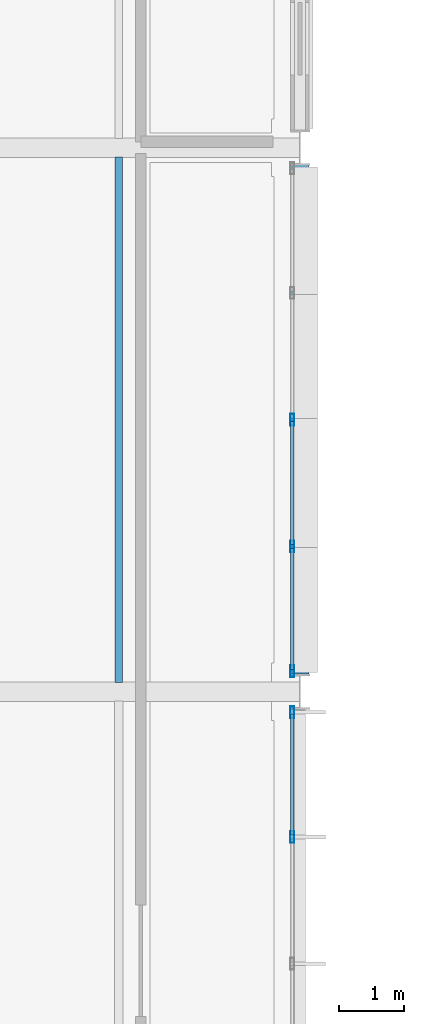
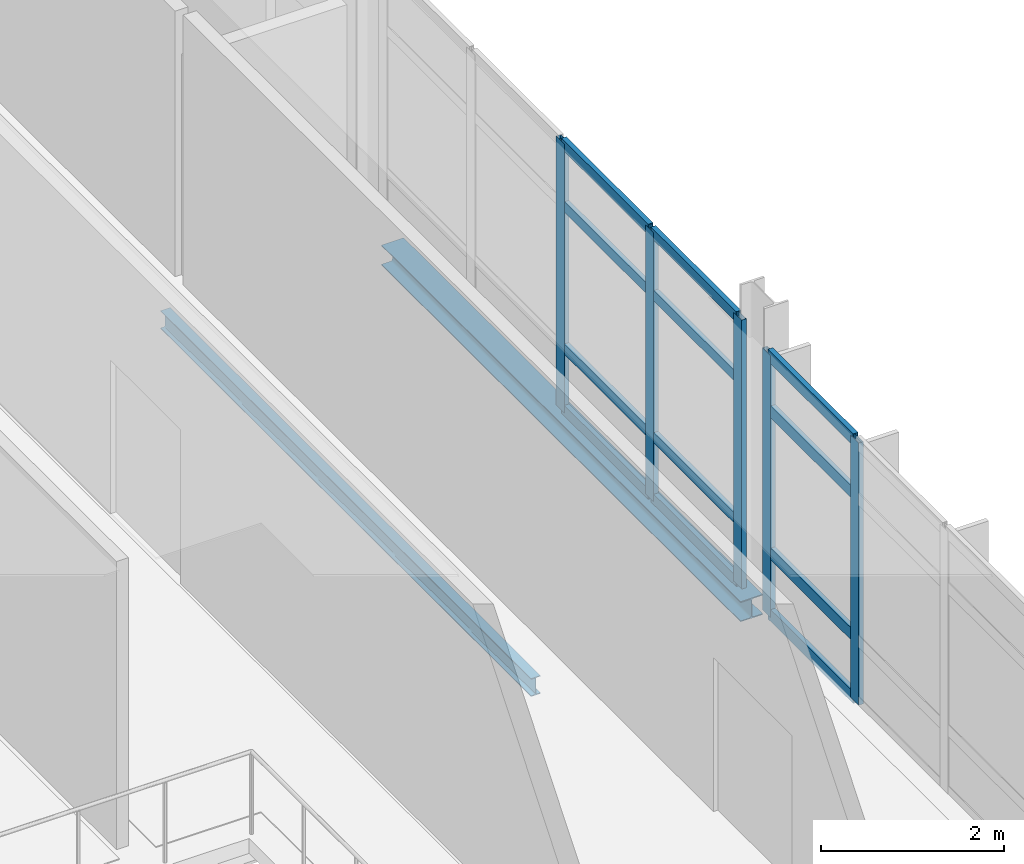
# One storey, part 57 of 131: 17 members, 2 beams, 2 elements without a shape of their own.
"""IFC4 building model written with IfcOpenShell, lengths in metres."""

from ifc_helpers import new_model, si_unit, direction, frame, origin, origin_2d, place, context, subcontext, project, spatial, hollow_rectangle, i_section, extrude, material, material_profile, profile_set, type_object, element, aggregate, save


model = new_model("IFC4")

# Units and contexts
model_context = context("Model", 3, precision=1e-05, world=origin(), true_north=direction((0.0, 1.0)))
body_context = subcontext(model_context, "Body", "Model", "MODEL_VIEW")
ifc_project = project(units=[si_unit("LENGTHUNIT", "METRE"), si_unit("AREAUNIT", "SQUARE_METRE"), si_unit("VOLUMEUNIT", "CUBIC_METRE"), si_unit("PLANEANGLEUNIT", "RADIAN"), si_unit("MASSUNIT", "GRAM", prefix="KILO")], contexts=[model_context])

# Site, building, storey
site_placement = place(None, origin())
site = spatial("IfcSite", under=ifc_project, at=site_placement, CompositionType="ELEMENT")
building_placement = place(site_placement, origin())
building = spatial("IfcBuilding", under=site, at=building_placement, Name="Mersafa Astral City Hall", CompositionType="ELEMENT")
storey_placement = place(building_placement, frame((0.0, 0.0, 13.949951171875)))
storey = spatial("IfcBuildingStorey", under=building, at=storey_placement, Name="L03", CompositionType="ELEMENT", Elevation=13.949951171875)

# Curtain wall, members
ifc_material_1 = material(Name="Anodised bronze aluminium framing", Category="aluminium")
curtain_wall_type_1 = type_object("IfcCurtainWallType", Name="ENV-CW-5", PredefinedType="USERDEFINED", material=ifc_material_1)
curtain_wall_1_placement = place(storey_placement, origin())
curtain_wall_1 = element("IfcCurtainWall", 1, at=curtain_wall_1_placement, inside=storey, type_object=curtain_wall_type_1, Name="L03 Unitised solar curtain wall 154", ObjectType="UNITISED CURTAIN WALL", PredefinedType="USERDEFINED")
ifc_material_profile_1 = material_profile(ifc_material_1, hollow_rectangle(XDim=0.06005859375, YDim=0.179931640625, WallThickness=0.00390625, at=origin_2d()), Name="RHS 60x180x4")
ifc_profile_set_1 = profile_set([ifc_material_profile_1], Name="Anodised bronze aluminium framing")
member_type_1 = type_object("IfcMemberType", Name="ENV-CW-MUL-1", PredefinedType="MULLION", material=ifc_profile_set_1)
member_1_placement = place(storey_placement, frame((117.47998046875, 73.3564453125, -0.001953125), z_axis=(0.0, 0.0, 1.0), x_axis=(-1.0, 0.0, 0.0)))
member_1 = element("IfcMember", 2, at=member_1_placement, type_object=member_type_1, Name="CW-5 mullion 4", PredefinedType="MULLION", context=body_context, shape_type="SweptSolid", body=[
    extrude(hollow_rectangle(XDim=0.06005859375, YDim=0.179931640625, WallThickness=0.00390625, at=origin_2d()), origin(), (0.0, 0.0, 1.0), 3.50390625),
])
member_2_placement = place(storey_placement, frame((117.47998046875, 75.282958984375, -0.001953125), z_axis=(0.0, 0.0, 1.0), x_axis=(-1.0, 0.0, 0.0)))
member_2 = element("IfcMember", 3, at=member_2_placement, type_object=member_type_1, Name="CW-5 mullion 5", PredefinedType="MULLION", context=body_context, shape_type="SweptSolid", body=[
    extrude(hollow_rectangle(XDim=0.06005859375, YDim=0.179931640625, WallThickness=0.00390625, at=origin_2d()), origin(), (0.0, 0.0, 1.0), 3.50390625),
])

curtain_wall_type_2 = type_object("IfcCurtainWallType", Name="ENV-CW-6", PredefinedType="USERDEFINED", material=ifc_material_1)
curtain_wall_2_placement = place(storey_placement, origin())
curtain_wall_2 = element("IfcCurtainWall", 4, at=curtain_wall_2_placement, inside=storey, type_object=curtain_wall_type_2, Name="L03 Unitised solar curtain wall 155", ObjectType="UNITISED CURTAIN WALL", PredefinedType="USERDEFINED")
member_3_placement = place(storey_placement, frame((117.47998046875, 75.9169921875, -0.001953125), z_axis=(0.0, 0.0, 1.0), x_axis=(-1.0, 0.0, 0.0)))
member_3 = element("IfcMember", 5, at=member_3_placement, type_object=member_type_1, Name="CW-6 mullion 1", PredefinedType="MULLION", context=body_context, shape_type="SweptSolid", body=[
    extrude(hollow_rectangle(XDim=0.06005859375, YDim=0.179931640625, WallThickness=0.00390625, at=origin_2d()), origin(), (0.0, 0.0, 1.0), 3.593994140625),
])
member_4_placement = place(storey_placement, frame((117.47998046875, 77.843505859375, -0.001953125), z_axis=(0.0, 0.0, 1.0), x_axis=(-1.0, 0.0, 0.0)))
member_4 = element("IfcMember", 6, at=member_4_placement, type_object=member_type_1, Name="CW-6 mullion 2", PredefinedType="MULLION", context=body_context, shape_type="SweptSolid", body=[
    extrude(hollow_rectangle(XDim=0.06005859375, YDim=0.179931640625, WallThickness=0.00390625, at=origin_2d()), origin(), (0.0, 0.0, 1.0), 3.593994140625),
])
member_5_placement = place(storey_placement, frame((117.47998046875, 79.800048828125, -0.001953125), z_axis=(0.0, 0.0, 1.0), x_axis=(-1.0, 0.0, 0.0)))
member_5 = element("IfcMember", 7, at=member_5_placement, type_object=member_type_1, Name="CW-6 mullion 3", PredefinedType="MULLION", context=body_context, shape_type="SweptSolid", body=[
    extrude(hollow_rectangle(XDim=0.06005859375, YDim=0.179931640625, WallThickness=0.00390625, at=origin_2d()), origin(), (0.0, 0.0, 1.0), 3.593994140625),
])
ifc_material_profile_2 = material_profile(ifc_material_1, hollow_rectangle(XDim=0.06005859375, YDim=0.139892578125, WallThickness=0.00390625, at=origin_2d()), Name="RHS 60x140x4")
ifc_profile_set_2 = profile_set([ifc_material_profile_2], Name="Anodised bronze aluminium framing")
member_type_2 = type_object("IfcMemberType", Name="ENV-CW-TRN-1", PredefinedType="USERDEFINED", material=ifc_profile_set_2)
member_6_placement = place(storey_placement, frame((117.47998046875, 75.947021484375, 0.028076171875), z_axis=(0.0, 1.0, 0.0), x_axis=(-1.0, 0.0, 0.0)))
member_6 = element("IfcMember", 8, at=member_6_placement, type_object=member_type_2, Name="CW-6 transom 1.1", ObjectType="TRANSOM", PredefinedType="USERDEFINED", context=body_context, shape_type="SweptSolid", body=[
    extrude(hollow_rectangle(XDim=0.06005859375, YDim=0.139892578125, WallThickness=0.00390625, at=origin_2d()), origin(), (0.0, 0.0, 1.0), 1.866455078125),
])
member_7_placement = place(storey_placement, frame((117.47998046875, 75.947021484375, 0.85009765625), z_axis=(0.0, 1.0, 0.0), x_axis=(-1.0, 0.0, 0.0)))
member_7 = element("IfcMember", 9, at=member_7_placement, type_object=member_type_2, Name="CW-6 transom 1.2", ObjectType="TRANSOM", PredefinedType="USERDEFINED", context=body_context, shape_type="SweptSolid", body=[
    extrude(hollow_rectangle(XDim=0.06005859375, YDim=0.139892578125, WallThickness=0.00390625, at=origin_2d()), origin(), (0.0, 0.0, 1.0), 1.866455078125),
])
member_8_placement = place(storey_placement, frame((117.47998046875, 75.947021484375, 2.75), z_axis=(0.0, 1.0, 0.0), x_axis=(-1.0, 0.0, 0.0)))
member_8 = element("IfcMember", 10, at=member_8_placement, type_object=member_type_2, Name="CW-6 transom 1.3", ObjectType="TRANSOM", PredefinedType="USERDEFINED", context=body_context, shape_type="SweptSolid", body=[
    extrude(hollow_rectangle(XDim=0.06005859375, YDim=0.139892578125, WallThickness=0.00390625, at=origin_2d()), origin(), (0.0, 0.0, 1.0), 1.866455078125),
])
member_9_placement = place(storey_placement, frame((117.47998046875, 75.947021484375, 3.56201171875), z_axis=(0.0, 1.0, 0.0), x_axis=(-1.0, 0.0, 0.0)))
member_9 = element("IfcMember", 11, at=member_9_placement, type_object=member_type_2, Name="CW-6 transom 1.4", ObjectType="TRANSOM", PredefinedType="USERDEFINED", context=body_context, shape_type="SweptSolid", body=[
    extrude(hollow_rectangle(XDim=0.06005859375, YDim=0.139892578125, WallThickness=0.00390625, at=origin_2d()), origin(), (0.0, 0.0, 1.0), 1.866455078125),
])
member_10_placement = place(storey_placement, frame((117.47998046875, 77.87353515625, 0.028076171875), z_axis=(0.0, 1.0, 0.0), x_axis=(-1.0, 0.0, 0.0)))
member_10 = element("IfcMember", 12, at=member_10_placement, type_object=member_type_2, Name="CW-6 transom 2.1", ObjectType="TRANSOM", PredefinedType="USERDEFINED", context=body_context, shape_type="SweptSolid", body=[
    extrude(hollow_rectangle(XDim=0.06005859375, YDim=0.139892578125, WallThickness=0.00390625, at=origin_2d()), origin(), (0.0, 0.0, 1.0), 1.896484375),
])
member_11_placement = place(storey_placement, frame((117.47998046875, 77.87353515625, 0.85009765625), z_axis=(0.0, 1.0, 0.0), x_axis=(-1.0, 0.0, 0.0)))
member_11 = element("IfcMember", 13, at=member_11_placement, type_object=member_type_2, Name="CW-6 transom 2.2", ObjectType="TRANSOM", PredefinedType="USERDEFINED", context=body_context, shape_type="SweptSolid", body=[
    extrude(hollow_rectangle(XDim=0.06005859375, YDim=0.139892578125, WallThickness=0.00390625, at=origin_2d()), origin(), (0.0, 0.0, 1.0), 1.896484375),
])
member_12_placement = place(storey_placement, frame((117.47998046875, 77.87353515625, 2.75), z_axis=(0.0, 1.0, 0.0), x_axis=(-1.0, 0.0, 0.0)))
member_12 = element("IfcMember", 14, at=member_12_placement, type_object=member_type_2, Name="CW-6 transom 2.3", ObjectType="TRANSOM", PredefinedType="USERDEFINED", context=body_context, shape_type="SweptSolid", body=[
    extrude(hollow_rectangle(XDim=0.06005859375, YDim=0.139892578125, WallThickness=0.00390625, at=origin_2d()), origin(), (0.0, 0.0, 1.0), 1.896484375),
])
member_13_placement = place(storey_placement, frame((117.47998046875, 77.87353515625, 3.56201171875), z_axis=(0.0, 1.0, 0.0), x_axis=(-1.0, 0.0, 0.0)))
member_13 = element("IfcMember", 15, at=member_13_placement, type_object=member_type_2, Name="CW-6 transom 2.4", ObjectType="TRANSOM", PredefinedType="USERDEFINED", context=body_context, shape_type="SweptSolid", body=[
    extrude(hollow_rectangle(XDim=0.06005859375, YDim=0.139892578125, WallThickness=0.00390625, at=origin_2d()), origin(), (0.0, 0.0, 1.0), 1.896484375),
])
aggregate(curtain_wall_2, [member_3, member_4, member_5, member_6, member_7, member_8, member_9, member_10, member_11, member_12, member_13])

# Member
ifc_material_profile_3 = material_profile(ifc_material_1, hollow_rectangle(XDim=0.06005859375, YDim=0.159912109375, WallThickness=0.00390625, at=origin_2d()), Name="RHS 60x160x4")
ifc_profile_set_3 = profile_set([ifc_material_profile_3], Name="Anodised bronze aluminium framing")
member_type_3 = type_object("IfcMemberType", Name="ENV-CW-TRN-2", PredefinedType="USERDEFINED", material=ifc_profile_set_3)
member_14_placement = place(storey_placement, frame((117.47998046875, 73.386474609375, 0.028076171875), z_axis=(0.0, 1.0, 0.0), x_axis=(-1.0, 0.0, 0.0)))
member_14 = element("IfcMember", 16, at=member_14_placement, type_object=member_type_3, Name="CW-5 transom 4.1", ObjectType="TRANSOM", PredefinedType="USERDEFINED", context=body_context, shape_type="SweptSolid", body=[
    extrude(hollow_rectangle(XDim=0.06005859375, YDim=0.159912109375, WallThickness=0.00390625, at=origin_2d()), origin(), (0.0, 0.0, 1.0), 1.866455078125),
])

member_15_placement = place(storey_placement, frame((117.47998046875, 73.386474609375, 0.85009765625), z_axis=(0.0, 1.0, 0.0), x_axis=(-1.0, 0.0, 0.0)))
member_15 = element("IfcMember", 17, at=member_15_placement, type_object=member_type_3, Name="CW-5 transom 4.2", ObjectType="TRANSOM", PredefinedType="USERDEFINED", context=body_context, shape_type="SweptSolid", body=[
    extrude(hollow_rectangle(XDim=0.06005859375, YDim=0.159912109375, WallThickness=0.00390625, at=origin_2d()), origin(), (0.0, 0.0, 1.0), 1.866455078125),
])

member_16_placement = place(storey_placement, frame((117.47998046875, 73.386474609375, 2.75), z_axis=(0.0, 1.0, 0.0), x_axis=(-1.0, 0.0, 0.0)))
member_16 = element("IfcMember", 18, at=member_16_placement, type_object=member_type_3, Name="CW-5 transom 4.3", ObjectType="TRANSOM", PredefinedType="USERDEFINED", context=body_context, shape_type="SweptSolid", body=[
    extrude(hollow_rectangle(XDim=0.06005859375, YDim=0.159912109375, WallThickness=0.00390625, at=origin_2d()), origin(), (0.0, 0.0, 1.0), 1.866455078125),
])

member_17_placement = place(storey_placement, frame((117.47998046875, 73.386474609375, 3.47216796875), z_axis=(0.0, 1.0, 0.0), x_axis=(-1.0, 0.0, 0.0)))
member_17 = element("IfcMember", 19, at=member_17_placement, type_object=member_type_3, Name="CW-5 transom 4.4", ObjectType="TRANSOM", PredefinedType="USERDEFINED", context=body_context, shape_type="SweptSolid", body=[
    extrude(hollow_rectangle(XDim=0.06005859375, YDim=0.159912109375, WallThickness=0.00390625, at=origin_2d()), origin(), (0.0, 0.0, 1.0), 1.866455078125),
])

aggregate(curtain_wall_1, [member_1, member_2, member_14, member_15, member_16, member_17])

# Beams
ifc_material_2 = material(Name="Steel S355", Category="steel")
ifc_material_profile_4 = material_profile(ifc_material_2, i_section(OverallWidth=0.1201171875, OverallDepth=0.239990234375, WebThickness=0.006103515625, FlangeThickness=0.009765625, FilletRadius=0.014892578125, at=origin_2d()), Name="IPE 240")
ifc_profile_set_4 = profile_set([ifc_material_profile_4], Name="Steel S355")
beam_type_1 = type_object("IfcBeamType", Name="STR-BM-JOIST-IPE240", PredefinedType="JOIST", material=ifc_profile_set_4)
beam_1_placement = place(storey_placement, frame((114.800048828125, 75.7451171875, -0.320068359375), z_axis=(0.0, 1.0, 0.0), x_axis=(-1.0, 0.0, 0.0)))
element("IfcBeam", 20, at=beam_1_placement, inside=storey, type_object=beam_type_1, Name="L03 Composite secondary floor joist 619", PredefinedType="JOIST", context=body_context, shape_type="SweptSolid", body=[
    extrude(i_section(OverallWidth=0.1201171875, OverallDepth=0.239990234375, WebThickness=0.006103515625, FlangeThickness=0.009765625, FilletRadius=0.014892578125, at=origin_2d()), origin(), (0.0, 0.0, 1.0), 8.10986328125),
])
ifc_material_profile_5 = material_profile(ifc_material_2, i_section(OverallWidth=0.280029296875, OverallDepth=0.27001953125, WebThickness=0.008056640625, FlangeThickness=0.012939453125, FilletRadius=0.02392578125, at=origin_2d()), Name="HEA 280")
ifc_profile_set_5 = profile_set([ifc_material_profile_5], Name="Steel S355")
beam_type_2 = type_object("IfcBeamType", Name="STR-BM-SPANDREL-HEA280", PredefinedType="SPANDREL", material=ifc_profile_set_5)
beam_2_placement = place(storey_placement, frame((117.60009765625, 75.8701171875, -0.3349609375), z_axis=(0.0, 1.0, 0.0), x_axis=(-1.0, 0.0, 0.0)))
element("IfcBeam", 21, at=beam_2_placement, inside=storey, type_object=beam_type_2, Name="L03 Primary girder Y 14-9", PredefinedType="SPANDREL", context=body_context, shape_type="SweptSolid", body=[
    extrude(i_section(OverallWidth=0.280029296875, OverallDepth=0.27001953125, WebThickness=0.008056640625, FlangeThickness=0.012939453125, FilletRadius=0.02392578125, at=origin_2d()), origin(), (0.0, 0.0, 1.0), 7.85986328125),
])

save(model, "model.ifc")
